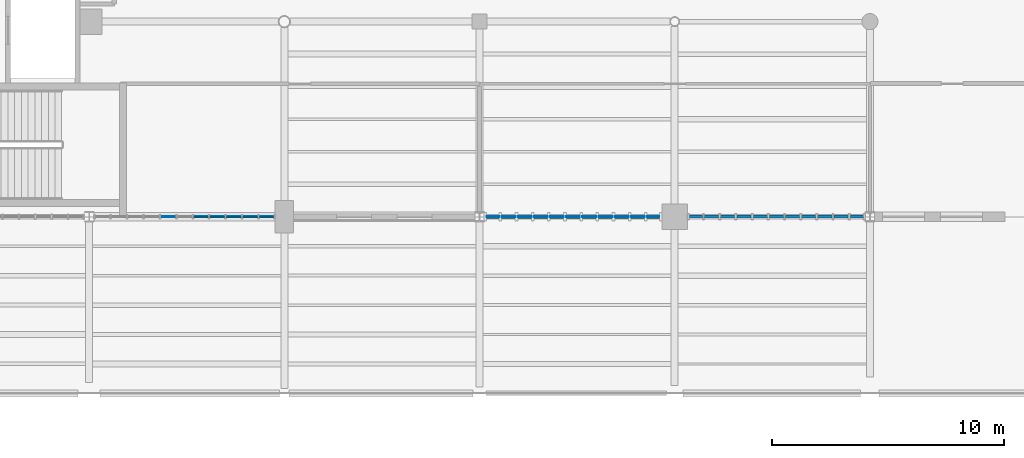
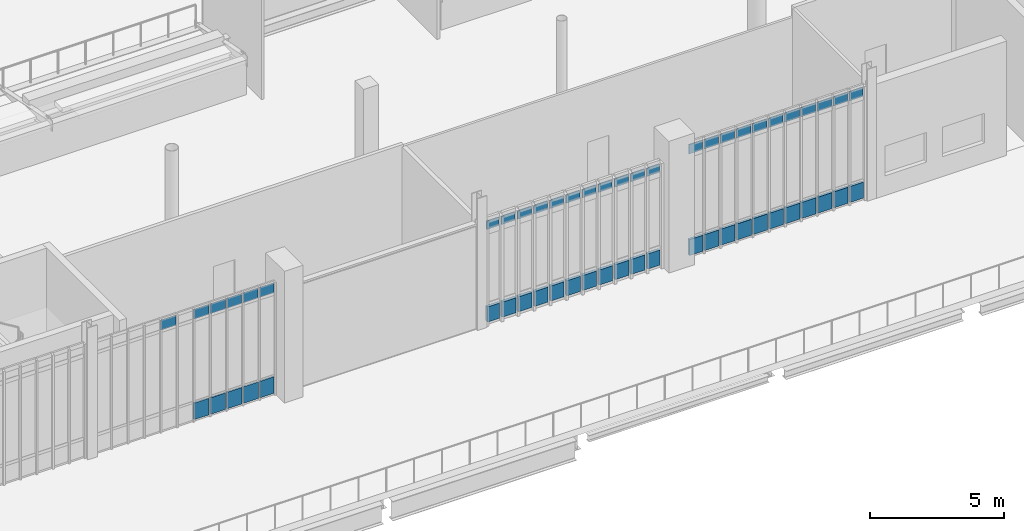
# One storey, part 83 of 135: 55 plates, 3 elements without a shape of their own.
"""IFC4 building model written with IfcOpenShell, lengths in metres."""

from ifc_helpers import new_model, si_unit, direction, frame, origin, origin_2d, place, context, subcontext, project, spatial, rectangle, extrude, material, layer, layer_set, type_object, element, aggregate, save


model = new_model("IFC4")

# Units and contexts
model_context = context("Model", 3, precision=1e-05, world=origin(), true_north=direction((0.0, 1.0)))
body_context = subcontext(model_context, "Body", "Model", "MODEL_VIEW")
ifc_project = project(units=[si_unit("LENGTHUNIT", "METRE"), si_unit("AREAUNIT", "SQUARE_METRE"), si_unit("VOLUMEUNIT", "CUBIC_METRE"), si_unit("PLANEANGLEUNIT", "RADIAN"), si_unit("MASSUNIT", "GRAM", prefix="KILO")], contexts=[model_context])

# Site, building, storey
site_placement = place(None, origin())
site = spatial("IfcSite", under=ifc_project, at=site_placement, CompositionType="ELEMENT")
building_placement = place(site_placement, origin())
building = spatial("IfcBuilding", under=site, at=building_placement, Name="Larkvane Passage Sports Hall", CompositionType="ELEMENT")
storey_placement = place(building_placement, frame((0.0, 0.0, 10.800048828125)))
storey = spatial("IfcBuildingStorey", under=building, at=storey_placement, Name="L02", CompositionType="ELEMENT", Elevation=10.800048828125)

# Curtain wall, plates
ifc_material_1 = material(Name="Thermally broken aluminium and low-E glazing", Category="aluminium")
curtain_wall_type_1 = type_object("IfcCurtainWallType", Name="CW-STICK-FOYER", PredefinedType="USERDEFINED", material=ifc_material_1)
curtain_wall_1_placement = place(storey_placement, origin())
curtain_wall_1 = element("IfcCurtainWall", 1, at=curtain_wall_1_placement, inside=storey, type_object=curtain_wall_type_1, Name="Curtain wall CW5-L02-086", ObjectType="STICK CURTAIN WALL", PredefinedType="USERDEFINED")
ifc_material_2 = material(Name="Fire-stopped shadow-box spandrel panel")
ifc_layer_1 = layer(ifc_material_2, 0.10498046875)
ifc_layer_set_1 = layer_set([ifc_layer_1], Name="Fire-stopped shadow-box spandrel panel")
plate_type_1 = type_object("IfcPlateType", Name="CWP-SPD-105", PredefinedType="CURTAIN_PANEL", material=ifc_layer_set_1)
plate_1_placement = place(storey_placement, frame((76.233642578125, 22.800048828125, 0.080078125), z_axis=(0.0, 0.0, 1.0), x_axis=(-1.0, 0.0, 0.0)))
plate_1 = element("IfcPlate", 2, at=plate_1_placement, type_object=plate_type_1, Name="CW-03 panel 1.1", PredefinedType="CURTAIN_PANEL", context=body_context, shape_type="SweptSolid", body=[
    extrude(rectangle(XDim=0.575927734375, YDim=0.10498046875, at=origin_2d()), origin(), (0.0, 0.0, 1.0), 0.72998046875),
])
plate_2_placement = place(storey_placement, frame((75.5576171875, 22.800048828125, 0.080078125), z_axis=(0.0, 0.0, 1.0), x_axis=(-1.0, 0.0, 0.0)))
plate_2 = element("IfcPlate", 3, at=plate_2_placement, type_object=plate_type_1, Name="CW-03 panel 2.1", PredefinedType="CURTAIN_PANEL", context=body_context, shape_type="SweptSolid", body=[
    extrude(rectangle(XDim=0.615966796875, YDim=0.10498046875, at=origin_2d()), origin(), (0.0, 0.0, 1.0), 0.72998046875),
])
plate_3_placement = place(storey_placement, frame((74.861572265625, 22.800048828125, 0.080078125), z_axis=(0.0, 0.0, 1.0), x_axis=(-1.0, 0.0, 0.0)))
plate_3 = element("IfcPlate", 4, at=plate_3_placement, type_object=plate_type_1, Name="CW-03 panel 3.1", PredefinedType="CURTAIN_PANEL", context=body_context, shape_type="SweptSolid", body=[
    extrude(rectangle(XDim=0.615966796875, YDim=0.10498046875, at=origin_2d()), origin(), (0.0, 0.0, 1.0), 0.72998046875),
])
plate_4_placement = place(storey_placement, frame((74.165771484375, 22.800048828125, 0.080078125), z_axis=(0.0, 0.0, 1.0), x_axis=(-1.0, 0.0, 0.0)))
plate_4 = element("IfcPlate", 5, at=plate_4_placement, type_object=plate_type_1, Name="CW-03 panel 4.1", PredefinedType="CURTAIN_PANEL", context=body_context, shape_type="SweptSolid", body=[
    extrude(rectangle(XDim=0.615966796875, YDim=0.10498046875, at=origin_2d()), origin(), (0.0, 0.0, 1.0), 0.72998046875),
])
plate_5_placement = place(storey_placement, frame((73.4697265625, 22.800048828125, 0.080078125), z_axis=(0.0, 0.0, 1.0), x_axis=(-1.0, 0.0, 0.0)))
plate_5 = element("IfcPlate", 6, at=plate_5_placement, type_object=plate_type_1, Name="CW-03 panel 5.1", PredefinedType="CURTAIN_PANEL", context=body_context, shape_type="SweptSolid", body=[
    extrude(rectangle(XDim=0.615966796875, YDim=0.10498046875, at=origin_2d()), origin(), (0.0, 0.0, 1.0), 0.72998046875),
])
plate_6_placement = place(storey_placement, frame((72.773681640625, 22.800048828125, 0.080078125), z_axis=(0.0, 0.0, 1.0), x_axis=(-1.0, 0.0, 0.0)))
plate_6 = element("IfcPlate", 7, at=plate_6_placement, type_object=plate_type_1, Name="CW-03 panel 6.1", PredefinedType="CURTAIN_PANEL", context=body_context, shape_type="SweptSolid", body=[
    extrude(rectangle(XDim=0.615966796875, YDim=0.10498046875, at=origin_2d()), origin(), (0.0, 0.0, 1.0), 0.72998046875),
])
plate_7_placement = place(storey_placement, frame((72.077880859375, 22.800048828125, 0.080078125), z_axis=(0.0, 0.0, 1.0), x_axis=(-1.0, 0.0, 0.0)))
plate_7 = element("IfcPlate", 8, at=plate_7_placement, type_object=plate_type_1, Name="CW-03 panel 7.1", PredefinedType="CURTAIN_PANEL", context=body_context, shape_type="SweptSolid", body=[
    extrude(rectangle(XDim=0.615966796875, YDim=0.10498046875, at=origin_2d()), origin(), (0.0, 0.0, 1.0), 0.72998046875),
])
plate_8_placement = place(storey_placement, frame((71.3818359375, 22.800048828125, 0.080078125), z_axis=(0.0, 0.0, 1.0), x_axis=(-1.0, 0.0, 0.0)))
plate_8 = element("IfcPlate", 9, at=plate_8_placement, type_object=plate_type_1, Name="CW-03 panel 8.1", PredefinedType="CURTAIN_PANEL", context=body_context, shape_type="SweptSolid", body=[
    extrude(rectangle(XDim=0.615966796875, YDim=0.10498046875, at=origin_2d()), origin(), (0.0, 0.0, 1.0), 0.72998046875),
])
plate_9_placement = place(storey_placement, frame((70.685791015625, 22.800048828125, 0.080078125), z_axis=(0.0, 0.0, 1.0), x_axis=(-1.0, 0.0, 0.0)))
plate_9 = element("IfcPlate", 10, at=plate_9_placement, type_object=plate_type_1, Name="CW-03 panel 9.1", PredefinedType="CURTAIN_PANEL", context=body_context, shape_type="SweptSolid", body=[
    extrude(rectangle(XDim=0.615966796875, YDim=0.10498046875, at=origin_2d()), origin(), (0.0, 0.0, 1.0), 0.72998046875),
])
plate_10_placement = place(storey_placement, frame((69.989990234375, 22.800048828125, 0.080078125), z_axis=(0.0, 0.0, 1.0), x_axis=(-1.0, 0.0, 0.0)))
plate_10 = element("IfcPlate", 11, at=plate_10_placement, type_object=plate_type_1, Name="CW-03 panel 10.1", PredefinedType="CURTAIN_PANEL", context=body_context, shape_type="SweptSolid", body=[
    extrude(rectangle(XDim=0.615966796875, YDim=0.10498046875, at=origin_2d()), origin(), (0.0, 0.0, 1.0), 0.72998046875),
])
plate_11_placement = place(storey_placement, frame((69.31396484375, 22.800048828125, 0.080078125), z_axis=(0.0, 0.0, 1.0), x_axis=(-1.0, 0.0, 0.0)))
plate_11 = element("IfcPlate", 12, at=plate_11_placement, type_object=plate_type_1, Name="CW-03 panel 11.1", PredefinedType="CURTAIN_PANEL", context=body_context, shape_type="SweptSolid", body=[
    extrude(rectangle(XDim=0.575927734375, YDim=0.10498046875, at=origin_2d()), origin(), (0.0, 0.0, 1.0), 0.72998046875),
])

curtain_wall_type_2 = type_object("IfcCurtainWallType", Name="CW-CLINIC", PredefinedType="USERDEFINED", material=ifc_material_1)
curtain_wall_2_placement = place(storey_placement, origin())
curtain_wall_2 = element("IfcCurtainWall", 13, at=curtain_wall_2_placement, inside=storey, type_object=curtain_wall_type_2, Name="Curtain wall CW5-L02-087", ObjectType="UNITISED CURTAIN WALL", PredefinedType="USERDEFINED")
ifc_material_3 = material(Name="Deep insulated facade spandrel panel")
ifc_layer_2 = layer(ifc_material_3, 0.125)
ifc_layer_set_2 = layer_set([ifc_layer_2], Name="Deep insulated facade spandrel panel")
plate_type_2 = type_object("IfcPlateType", Name="CWP-SPD-125", PredefinedType="CURTAIN_PANEL", material=ifc_layer_set_2)
plate_12_placement = place(storey_placement, frame((67.478515625, 22.800048828125, 0.10986328125), z_axis=(0.0, 0.0, 1.0), x_axis=(-1.0, 0.0, 0.0)))
plate_12 = element("IfcPlate", 14, at=plate_12_placement, type_object=plate_type_2, Name="CW-05 panel 1.1", PredefinedType="CURTAIN_PANEL", context=body_context, shape_type="SweptSolid", body=[
    extrude(rectangle(XDim=0.53076171875, YDim=0.125, at=origin_2d()), origin(), (0.0, 0.0, 1.0), 0.68505859375),
])
plate_13_placement = place(storey_placement, frame((66.810302734375, 22.800048828125, 0.10986328125), z_axis=(0.0, 0.0, 1.0), x_axis=(-1.0, 0.0, 0.0)))
plate_13 = element("IfcPlate", 15, at=plate_13_placement, type_object=plate_type_2, Name="CW-05 panel 2.1", PredefinedType="CURTAIN_PANEL", context=body_context, shape_type="SweptSolid", body=[
    extrude(rectangle(XDim=0.5859375, YDim=0.125, at=origin_2d()), origin(), (0.0, 0.0, 1.0), 0.68505859375),
])
plate_14_placement = place(storey_placement, frame((66.1142578125, 22.800048828125, 0.10986328125), z_axis=(0.0, 0.0, 1.0), x_axis=(-1.0, 0.0, 0.0)))
plate_14 = element("IfcPlate", 16, at=plate_14_placement, type_object=plate_type_2, Name="CW-05 panel 3.1", PredefinedType="CURTAIN_PANEL", context=body_context, shape_type="SweptSolid", body=[
    extrude(rectangle(XDim=0.5859375, YDim=0.125, at=origin_2d()), origin(), (0.0, 0.0, 1.0), 0.68505859375),
])
plate_15_placement = place(storey_placement, frame((65.41845703125, 22.800048828125, 0.10986328125), z_axis=(0.0, 0.0, 1.0), x_axis=(-1.0, 0.0, 0.0)))
plate_15 = element("IfcPlate", 17, at=plate_15_placement, type_object=plate_type_2, Name="CW-05 panel 4.1", PredefinedType="CURTAIN_PANEL", context=body_context, shape_type="SweptSolid", body=[
    extrude(rectangle(XDim=0.5859375, YDim=0.125, at=origin_2d()), origin(), (0.0, 0.0, 1.0), 0.68505859375),
])
plate_16_placement = place(storey_placement, frame((64.72265625, 22.800048828125, 0.10986328125), z_axis=(0.0, 0.0, 1.0), x_axis=(-1.0, 0.0, 0.0)))
plate_16 = element("IfcPlate", 18, at=plate_16_placement, type_object=plate_type_2, Name="CW-05 panel 5.1", PredefinedType="CURTAIN_PANEL", context=body_context, shape_type="SweptSolid", body=[
    extrude(rectangle(XDim=0.5859375, YDim=0.125, at=origin_2d()), origin(), (0.0, 0.0, 1.0), 0.68505859375),
])
plate_17_placement = place(storey_placement, frame((64.02685546875, 22.800048828125, 0.10986328125), z_axis=(0.0, 0.0, 1.0), x_axis=(-1.0, 0.0, 0.0)))
plate_17 = element("IfcPlate", 19, at=plate_17_placement, type_object=plate_type_2, Name="CW-05 panel 6.1", PredefinedType="CURTAIN_PANEL", context=body_context, shape_type="SweptSolid", body=[
    extrude(rectangle(XDim=0.5859375, YDim=0.125, at=origin_2d()), origin(), (0.0, 0.0, 1.0), 0.68505859375),
])
plate_18_placement = place(storey_placement, frame((63.330810546875, 22.800048828125, 0.10986328125), z_axis=(0.0, 0.0, 1.0), x_axis=(-1.0, 0.0, 0.0)))
plate_18 = element("IfcPlate", 20, at=plate_18_placement, type_object=plate_type_2, Name="CW-05 panel 7.1", PredefinedType="CURTAIN_PANEL", context=body_context, shape_type="SweptSolid", body=[
    extrude(rectangle(XDim=0.5859375, YDim=0.125, at=origin_2d()), origin(), (0.0, 0.0, 1.0), 0.68505859375),
])
plate_19_placement = place(storey_placement, frame((62.635009765625, 22.800048828125, 0.10986328125), z_axis=(0.0, 0.0, 1.0), x_axis=(-1.0, 0.0, 0.0)))
plate_19 = element("IfcPlate", 21, at=plate_19_placement, type_object=plate_type_2, Name="CW-05 panel 8.1", PredefinedType="CURTAIN_PANEL", context=body_context, shape_type="SweptSolid", body=[
    extrude(rectangle(XDim=0.5859375, YDim=0.125, at=origin_2d()), origin(), (0.0, 0.0, 1.0), 0.68505859375),
])
plate_20_placement = place(storey_placement, frame((61.939208984375, 22.800048828125, 0.10986328125), z_axis=(0.0, 0.0, 1.0), x_axis=(-1.0, 0.0, 0.0)))
plate_20 = element("IfcPlate", 22, at=plate_20_placement, type_object=plate_type_2, Name="CW-05 panel 9.1", PredefinedType="CURTAIN_PANEL", context=body_context, shape_type="SweptSolid", body=[
    extrude(rectangle(XDim=0.5859375, YDim=0.125, at=origin_2d()), origin(), (0.0, 0.0, 1.0), 0.68505859375),
])
plate_21_placement = place(storey_placement, frame((61.243408203125, 22.800048828125, 0.10986328125), z_axis=(0.0, 0.0, 1.0), x_axis=(-1.0, 0.0, 0.0)))
plate_21 = element("IfcPlate", 23, at=plate_21_placement, type_object=plate_type_2, Name="CW-05 panel 10.1", PredefinedType="CURTAIN_PANEL", context=body_context, shape_type="SweptSolid", body=[
    extrude(rectangle(XDim=0.5859375, YDim=0.125, at=origin_2d()), origin(), (0.0, 0.0, 1.0), 0.68505859375),
])
plate_22_placement = place(storey_placement, frame((60.574951171875, 22.800048828125, 0.10986328125), z_axis=(0.0, 0.0, 1.0), x_axis=(-1.0, 0.0, 0.0)))
plate_22 = element("IfcPlate", 24, at=plate_22_placement, type_object=plate_type_2, Name="CW-05 panel 11.1", PredefinedType="CURTAIN_PANEL", context=body_context, shape_type="SweptSolid", body=[
    extrude(rectangle(XDim=0.53076171875, YDim=0.125, at=origin_2d()), origin(), (0.0, 0.0, 1.0), 0.68505859375),
])

curtain_wall_type_3 = type_object("IfcCurtainWallType", Name="CW-UNIT-COURT", PredefinedType="USERDEFINED", material=ifc_material_1)
curtain_wall_3_placement = place(storey_placement, origin())
curtain_wall_3 = element("IfcCurtainWall", 25, at=curtain_wall_3_placement, inside=storey, type_object=curtain_wall_type_3, Name="Curtain wall CW5-L02-088", ObjectType="UNITISED CURTAIN WALL", PredefinedType="USERDEFINED")
ifc_material_4 = material(Name="Insulated aluminium spandrel panel", Category="aluminium")
ifc_layer_3 = layer(ifc_material_4, 0.06494140625)
ifc_layer_set_3 = layer_set([ifc_layer_3], Name="Insulated aluminium spandrel panel")
plate_type_3 = type_object("IfcPlateType", Name="CWP-SPD-65", PredefinedType="CURTAIN_PANEL", material=ifc_layer_set_3)
plate_23_placement = place(storey_placement, frame((50.833251953125, 22.800048828125, 0.06494140625), z_axis=(0.0, 0.0, 1.0), x_axis=(-1.0, 0.0, 0.0)))
plate_23 = element("IfcPlate", 26, at=plate_23_placement, type_object=plate_type_3, Name="CW-01 panel 1.1", PredefinedType="CURTAIN_PANEL", context=body_context, shape_type="SweptSolid", body=[
    extrude(rectangle(XDim=0.611572265625, YDim=0.06494140625, at=origin_2d()), origin(), (0.0, 0.0, 1.0), 0.75244140625),
])
plate_24_placement = place(storey_placement, frame((50.140380859375, 22.800048828125, 0.06494140625), z_axis=(0.0, 0.0, 1.0), x_axis=(-1.0, 0.0, 0.0)))
plate_24 = element("IfcPlate", 27, at=plate_24_placement, type_object=plate_type_3, Name="CW-01 panel 2.1", PredefinedType="CURTAIN_PANEL", context=body_context, shape_type="SweptSolid", body=[
    extrude(rectangle(XDim=0.64404296875, YDim=0.06494140625, at=origin_2d()), origin(), (0.0, 0.0, 1.0), 0.75244140625),
])
plate_25_placement = place(storey_placement, frame((49.431396484375, 22.800048828125, 0.06494140625), z_axis=(0.0, 0.0, 1.0), x_axis=(-1.0, 0.0, 0.0)))
plate_25 = element("IfcPlate", 28, at=plate_25_placement, type_object=plate_type_3, Name="CW-01 panel 3.1", PredefinedType="CURTAIN_PANEL", context=body_context, shape_type="SweptSolid", body=[
    extrude(rectangle(XDim=0.64404296875, YDim=0.06494140625, at=origin_2d()), origin(), (0.0, 0.0, 1.0), 0.75244140625),
])
plate_26_placement = place(storey_placement, frame((48.722412109375, 22.800048828125, 0.06494140625), z_axis=(0.0, 0.0, 1.0), x_axis=(-1.0, 0.0, 0.0)))
plate_26 = element("IfcPlate", 29, at=plate_26_placement, type_object=plate_type_3, Name="CW-01 panel 4.1", PredefinedType="CURTAIN_PANEL", context=body_context, shape_type="SweptSolid", body=[
    extrude(rectangle(XDim=0.64404296875, YDim=0.06494140625, at=origin_2d()), origin(), (0.0, 0.0, 1.0), 0.75244140625),
])
plate_27_placement = place(storey_placement, frame((48.01318359375, 22.800048828125, 0.06494140625), z_axis=(0.0, 0.0, 1.0), x_axis=(-1.0, 0.0, 0.0)))
plate_27 = element("IfcPlate", 30, at=plate_27_placement, type_object=plate_type_3, Name="CW-01 panel 5.1", PredefinedType="CURTAIN_PANEL", context=body_context, shape_type="SweptSolid", body=[
    extrude(rectangle(XDim=0.64404296875, YDim=0.06494140625, at=origin_2d()), origin(), (0.0, 0.0, 1.0), 0.75244140625),
])
ifc_material_5 = material(Name="Solar-control low-E double glazing", Category="glass")
ifc_layer_4 = layer(ifc_material_5, 0.028076171875)
ifc_layer_set_4 = layer_set([ifc_layer_4], Name="Solar-control low-E double glazing")
plate_type_4 = type_object("IfcPlateType", Name="CWP-VIS-28", PredefinedType="CURTAIN_PANEL", material=ifc_layer_set_4)
plate_28_placement = place(storey_placement, frame((50.833251953125, 22.800048828125, 4.63037109375), z_axis=(0.0, 0.0, 1.0), x_axis=(-1.0, 0.0, 0.0)))
plate_28 = element("IfcPlate", 31, at=plate_28_placement, type_object=plate_type_4, Name="CW-01 panel 1.3", PredefinedType="CURTAIN_PANEL", context=body_context, shape_type="SweptSolid", body=[
    extrude(rectangle(XDim=0.611572265625, YDim=0.028076171875, at=origin_2d()), origin(), (0.0, 0.0, 1.0), 0.452392578125),
])
plate_29_placement = place(storey_placement, frame((50.140380859375, 22.800048828125, 4.63037109375), z_axis=(0.0, 0.0, 1.0), x_axis=(-1.0, 0.0, 0.0)))
plate_29 = element("IfcPlate", 32, at=plate_29_placement, type_object=plate_type_4, Name="CW-01 panel 2.3", PredefinedType="CURTAIN_PANEL", context=body_context, shape_type="SweptSolid", body=[
    extrude(rectangle(XDim=0.64404296875, YDim=0.028076171875, at=origin_2d()), origin(), (0.0, 0.0, 1.0), 0.452392578125),
])
plate_30_placement = place(storey_placement, frame((49.431396484375, 22.800048828125, 4.63037109375), z_axis=(0.0, 0.0, 1.0), x_axis=(-1.0, 0.0, 0.0)))
plate_30 = element("IfcPlate", 33, at=plate_30_placement, type_object=plate_type_4, Name="CW-01 panel 3.3", PredefinedType="CURTAIN_PANEL", context=body_context, shape_type="SweptSolid", body=[
    extrude(rectangle(XDim=0.64404296875, YDim=0.028076171875, at=origin_2d()), origin(), (0.0, 0.0, 1.0), 0.452392578125),
])
plate_31_placement = place(storey_placement, frame((48.722412109375, 22.800048828125, 4.63037109375), z_axis=(0.0, 0.0, 1.0), x_axis=(-1.0, 0.0, 0.0)))
plate_31 = element("IfcPlate", 34, at=plate_31_placement, type_object=plate_type_4, Name="CW-01 panel 4.3", PredefinedType="CURTAIN_PANEL", context=body_context, shape_type="SweptSolid", body=[
    extrude(rectangle(XDim=0.64404296875, YDim=0.028076171875, at=origin_2d()), origin(), (0.0, 0.0, 1.0), 0.452392578125),
])
plate_32_placement = place(storey_placement, frame((48.01318359375, 22.800048828125, 4.63037109375), z_axis=(0.0, 0.0, 1.0), x_axis=(-1.0, 0.0, 0.0)))
plate_32 = element("IfcPlate", 35, at=plate_32_placement, type_object=plate_type_4, Name="CW-01 panel 5.3", PredefinedType="CURTAIN_PANEL", context=body_context, shape_type="SweptSolid", body=[
    extrude(rectangle(XDim=0.64404296875, YDim=0.028076171875, at=origin_2d()), origin(), (0.0, 0.0, 1.0), 0.452392578125),
])
plate_33_placement = place(storey_placement, frame((46.59521484375, 22.800048828125, 4.63037109375), z_axis=(0.0, 0.0, 1.0), x_axis=(-1.0, 0.0, 0.0)))
plate_33 = element("IfcPlate", 36, at=plate_33_placement, type_object=plate_type_4, Name="CW-01 panel 7.3", PredefinedType="CURTAIN_PANEL", context=body_context, shape_type="SweptSolid", body=[
    extrude(rectangle(XDim=0.64404296875, YDim=0.028076171875, at=origin_2d()), origin(), (0.0, 0.0, 1.0), 0.452392578125),
])
aggregate(curtain_wall_3, [plate_23, plate_28, plate_24, plate_29, plate_25, plate_30, plate_26, plate_31, plate_27, plate_32, plate_33])

# Plate
ifc_material_6 = material(Name="High-impact court low-E glazing", Category="glass")
ifc_layer_5 = layer(ifc_material_6, 0.035888671875)
ifc_layer_set_5 = layer_set([ifc_layer_5], Name="High-impact court low-E glazing")
plate_type_5 = type_object("IfcPlateType", Name="CWP-VIS-36", PredefinedType="CURTAIN_PANEL", material=ifc_layer_set_5)
plate_34_placement = place(storey_placement, frame((76.233642578125, 22.800048828125, 4.68798828125), z_axis=(0.0, 0.0, 1.0), x_axis=(-1.0, 0.0, 0.0)))
plate_34 = element("IfcPlate", 37, at=plate_34_placement, type_object=plate_type_5, Name="CW-03 panel 1.3", PredefinedType="CURTAIN_PANEL", context=body_context, shape_type="SweptSolid", body=[
    extrude(rectangle(XDim=0.575927734375, YDim=0.035888671875, at=origin_2d()), origin(), (0.0, 0.0, 1.0), 0.429931640625),
])

plate_35_placement = place(storey_placement, frame((75.5576171875, 22.800048828125, 4.68798828125), z_axis=(0.0, 0.0, 1.0), x_axis=(-1.0, 0.0, 0.0)))
plate_35 = element("IfcPlate", 38, at=plate_35_placement, type_object=plate_type_5, Name="CW-03 panel 2.3", PredefinedType="CURTAIN_PANEL", context=body_context, shape_type="SweptSolid", body=[
    extrude(rectangle(XDim=0.615966796875, YDim=0.035888671875, at=origin_2d()), origin(), (0.0, 0.0, 1.0), 0.429931640625),
])

plate_36_placement = place(storey_placement, frame((74.861572265625, 22.800048828125, 4.68798828125), z_axis=(0.0, 0.0, 1.0), x_axis=(-1.0, 0.0, 0.0)))
plate_36 = element("IfcPlate", 39, at=plate_36_placement, type_object=plate_type_5, Name="CW-03 panel 3.3", PredefinedType="CURTAIN_PANEL", context=body_context, shape_type="SweptSolid", body=[
    extrude(rectangle(XDim=0.615966796875, YDim=0.035888671875, at=origin_2d()), origin(), (0.0, 0.0, 1.0), 0.429931640625),
])

plate_37_placement = place(storey_placement, frame((74.165771484375, 22.800048828125, 4.68798828125), z_axis=(0.0, 0.0, 1.0), x_axis=(-1.0, 0.0, 0.0)))
plate_37 = element("IfcPlate", 40, at=plate_37_placement, type_object=plate_type_5, Name="CW-03 panel 4.3", PredefinedType="CURTAIN_PANEL", context=body_context, shape_type="SweptSolid", body=[
    extrude(rectangle(XDim=0.615966796875, YDim=0.035888671875, at=origin_2d()), origin(), (0.0, 0.0, 1.0), 0.429931640625),
])

plate_38_placement = place(storey_placement, frame((73.4697265625, 22.800048828125, 4.68798828125), z_axis=(0.0, 0.0, 1.0), x_axis=(-1.0, 0.0, 0.0)))
plate_38 = element("IfcPlate", 41, at=plate_38_placement, type_object=plate_type_5, Name="CW-03 panel 5.3", PredefinedType="CURTAIN_PANEL", context=body_context, shape_type="SweptSolid", body=[
    extrude(rectangle(XDim=0.615966796875, YDim=0.035888671875, at=origin_2d()), origin(), (0.0, 0.0, 1.0), 0.429931640625),
])

plate_39_placement = place(storey_placement, frame((72.773681640625, 22.800048828125, 4.68798828125), z_axis=(0.0, 0.0, 1.0), x_axis=(-1.0, 0.0, 0.0)))
plate_39 = element("IfcPlate", 42, at=plate_39_placement, type_object=plate_type_5, Name="CW-03 panel 6.3", PredefinedType="CURTAIN_PANEL", context=body_context, shape_type="SweptSolid", body=[
    extrude(rectangle(XDim=0.615966796875, YDim=0.035888671875, at=origin_2d()), origin(), (0.0, 0.0, 1.0), 0.429931640625),
])

plate_40_placement = place(storey_placement, frame((72.077880859375, 22.800048828125, 4.68798828125), z_axis=(0.0, 0.0, 1.0), x_axis=(-1.0, 0.0, 0.0)))
plate_40 = element("IfcPlate", 43, at=plate_40_placement, type_object=plate_type_5, Name="CW-03 panel 7.3", PredefinedType="CURTAIN_PANEL", context=body_context, shape_type="SweptSolid", body=[
    extrude(rectangle(XDim=0.615966796875, YDim=0.035888671875, at=origin_2d()), origin(), (0.0, 0.0, 1.0), 0.429931640625),
])

plate_41_placement = place(storey_placement, frame((71.3818359375, 22.800048828125, 4.68798828125), z_axis=(0.0, 0.0, 1.0), x_axis=(-1.0, 0.0, 0.0)))
plate_41 = element("IfcPlate", 44, at=plate_41_placement, type_object=plate_type_5, Name="CW-03 panel 8.3", PredefinedType="CURTAIN_PANEL", context=body_context, shape_type="SweptSolid", body=[
    extrude(rectangle(XDim=0.615966796875, YDim=0.035888671875, at=origin_2d()), origin(), (0.0, 0.0, 1.0), 0.429931640625),
])

plate_42_placement = place(storey_placement, frame((70.685791015625, 22.800048828125, 4.68798828125), z_axis=(0.0, 0.0, 1.0), x_axis=(-1.0, 0.0, 0.0)))
plate_42 = element("IfcPlate", 45, at=plate_42_placement, type_object=plate_type_5, Name="CW-03 panel 9.3", PredefinedType="CURTAIN_PANEL", context=body_context, shape_type="SweptSolid", body=[
    extrude(rectangle(XDim=0.615966796875, YDim=0.035888671875, at=origin_2d()), origin(), (0.0, 0.0, 1.0), 0.429931640625),
])

plate_43_placement = place(storey_placement, frame((69.989990234375, 22.800048828125, 4.68798828125), z_axis=(0.0, 0.0, 1.0), x_axis=(-1.0, 0.0, 0.0)))
plate_43 = element("IfcPlate", 46, at=plate_43_placement, type_object=plate_type_5, Name="CW-03 panel 10.3", PredefinedType="CURTAIN_PANEL", context=body_context, shape_type="SweptSolid", body=[
    extrude(rectangle(XDim=0.615966796875, YDim=0.035888671875, at=origin_2d()), origin(), (0.0, 0.0, 1.0), 0.429931640625),
])

plate_44_placement = place(storey_placement, frame((69.31396484375, 22.800048828125, 4.68798828125), z_axis=(0.0, 0.0, 1.0), x_axis=(-1.0, 0.0, 0.0)))
plate_44 = element("IfcPlate", 47, at=plate_44_placement, type_object=plate_type_5, Name="CW-03 panel 11.3", PredefinedType="CURTAIN_PANEL", context=body_context, shape_type="SweptSolid", body=[
    extrude(rectangle(XDim=0.575927734375, YDim=0.035888671875, at=origin_2d()), origin(), (0.0, 0.0, 1.0), 0.429931640625),
])

aggregate(curtain_wall_1, [plate_1, plate_34, plate_2, plate_35, plate_3, plate_36, plate_4, plate_37, plate_5, plate_38, plate_6, plate_39, plate_7, plate_40, plate_8, plate_41, plate_9, plate_42, plate_10, plate_43, plate_11, plate_44])

ifc_material_7 = material(Name="Triple-laminated typhoon glazing", Category="glass")
ifc_layer_6 = layer(ifc_material_7, 0.0419921875)
ifc_layer_set_6 = layer_set([ifc_layer_6], Name="Triple-laminated typhoon glazing")
plate_type_6 = type_object("IfcPlateType", Name="CWP-VIS-42", PredefinedType="CURTAIN_PANEL", material=ifc_layer_set_6)
plate_45_placement = place(storey_placement, frame((67.478515625, 22.800048828125, 4.302734375), z_axis=(0.0, 0.0, 1.0), x_axis=(-1.0, 0.0, 0.0)))
plate_45 = element("IfcPlate", 48, at=plate_45_placement, type_object=plate_type_6, Name="CW-05 panel 1.3", PredefinedType="CURTAIN_PANEL", context=body_context, shape_type="SweptSolid", body=[
    extrude(rectangle(XDim=0.53076171875, YDim=0.0419921875, at=origin_2d()), origin(), (0.0, 0.0, 1.0), 0.385009765625),
])

plate_46_placement = place(storey_placement, frame((66.810302734375, 22.800048828125, 4.302734375), z_axis=(0.0, 0.0, 1.0), x_axis=(-1.0, 0.0, 0.0)))
plate_46 = element("IfcPlate", 49, at=plate_46_placement, type_object=plate_type_6, Name="CW-05 panel 2.3", PredefinedType="CURTAIN_PANEL", context=body_context, shape_type="SweptSolid", body=[
    extrude(rectangle(XDim=0.5859375, YDim=0.0419921875, at=origin_2d()), origin(), (0.0, 0.0, 1.0), 0.385009765625),
])

plate_47_placement = place(storey_placement, frame((66.1142578125, 22.800048828125, 4.302734375), z_axis=(0.0, 0.0, 1.0), x_axis=(-1.0, 0.0, 0.0)))
plate_47 = element("IfcPlate", 50, at=plate_47_placement, type_object=plate_type_6, Name="CW-05 panel 3.3", PredefinedType="CURTAIN_PANEL", context=body_context, shape_type="SweptSolid", body=[
    extrude(rectangle(XDim=0.5859375, YDim=0.0419921875, at=origin_2d()), origin(), (0.0, 0.0, 1.0), 0.385009765625),
])

plate_48_placement = place(storey_placement, frame((65.41845703125, 22.800048828125, 4.302734375), z_axis=(0.0, 0.0, 1.0), x_axis=(-1.0, 0.0, 0.0)))
plate_48 = element("IfcPlate", 51, at=plate_48_placement, type_object=plate_type_6, Name="CW-05 panel 4.3", PredefinedType="CURTAIN_PANEL", context=body_context, shape_type="SweptSolid", body=[
    extrude(rectangle(XDim=0.5859375, YDim=0.0419921875, at=origin_2d()), origin(), (0.0, 0.0, 1.0), 0.385009765625),
])

plate_49_placement = place(storey_placement, frame((64.72265625, 22.800048828125, 4.302734375), z_axis=(0.0, 0.0, 1.0), x_axis=(-1.0, 0.0, 0.0)))
plate_49 = element("IfcPlate", 52, at=plate_49_placement, type_object=plate_type_6, Name="CW-05 panel 5.3", PredefinedType="CURTAIN_PANEL", context=body_context, shape_type="SweptSolid", body=[
    extrude(rectangle(XDim=0.5859375, YDim=0.0419921875, at=origin_2d()), origin(), (0.0, 0.0, 1.0), 0.385009765625),
])

plate_50_placement = place(storey_placement, frame((64.02685546875, 22.800048828125, 4.302734375), z_axis=(0.0, 0.0, 1.0), x_axis=(-1.0, 0.0, 0.0)))
plate_50 = element("IfcPlate", 53, at=plate_50_placement, type_object=plate_type_6, Name="CW-05 panel 6.3", PredefinedType="CURTAIN_PANEL", context=body_context, shape_type="SweptSolid", body=[
    extrude(rectangle(XDim=0.5859375, YDim=0.0419921875, at=origin_2d()), origin(), (0.0, 0.0, 1.0), 0.385009765625),
])

plate_51_placement = place(storey_placement, frame((63.330810546875, 22.800048828125, 4.302734375), z_axis=(0.0, 0.0, 1.0), x_axis=(-1.0, 0.0, 0.0)))
plate_51 = element("IfcPlate", 54, at=plate_51_placement, type_object=plate_type_6, Name="CW-05 panel 7.3", PredefinedType="CURTAIN_PANEL", context=body_context, shape_type="SweptSolid", body=[
    extrude(rectangle(XDim=0.5859375, YDim=0.0419921875, at=origin_2d()), origin(), (0.0, 0.0, 1.0), 0.385009765625),
])

plate_52_placement = place(storey_placement, frame((62.635009765625, 22.800048828125, 4.302734375), z_axis=(0.0, 0.0, 1.0), x_axis=(-1.0, 0.0, 0.0)))
plate_52 = element("IfcPlate", 55, at=plate_52_placement, type_object=plate_type_6, Name="CW-05 panel 8.3", PredefinedType="CURTAIN_PANEL", context=body_context, shape_type="SweptSolid", body=[
    extrude(rectangle(XDim=0.5859375, YDim=0.0419921875, at=origin_2d()), origin(), (0.0, 0.0, 1.0), 0.385009765625),
])

plate_53_placement = place(storey_placement, frame((61.939208984375, 22.800048828125, 4.302734375), z_axis=(0.0, 0.0, 1.0), x_axis=(-1.0, 0.0, 0.0)))
plate_53 = element("IfcPlate", 56, at=plate_53_placement, type_object=plate_type_6, Name="CW-05 panel 9.3", PredefinedType="CURTAIN_PANEL", context=body_context, shape_type="SweptSolid", body=[
    extrude(rectangle(XDim=0.5859375, YDim=0.0419921875, at=origin_2d()), origin(), (0.0, 0.0, 1.0), 0.385009765625),
])

plate_54_placement = place(storey_placement, frame((61.243408203125, 22.800048828125, 4.302734375), z_axis=(0.0, 0.0, 1.0), x_axis=(-1.0, 0.0, 0.0)))
plate_54 = element("IfcPlate", 57, at=plate_54_placement, type_object=plate_type_6, Name="CW-05 panel 10.3", PredefinedType="CURTAIN_PANEL", context=body_context, shape_type="SweptSolid", body=[
    extrude(rectangle(XDim=0.5859375, YDim=0.0419921875, at=origin_2d()), origin(), (0.0, 0.0, 1.0), 0.385009765625),
])

plate_55_placement = place(storey_placement, frame((60.574951171875, 22.800048828125, 4.302734375), z_axis=(0.0, 0.0, 1.0), x_axis=(-1.0, 0.0, 0.0)))
plate_55 = element("IfcPlate", 58, at=plate_55_placement, type_object=plate_type_6, Name="CW-05 panel 11.3", PredefinedType="CURTAIN_PANEL", context=body_context, shape_type="SweptSolid", body=[
    extrude(rectangle(XDim=0.53076171875, YDim=0.0419921875, at=origin_2d()), origin(), (0.0, 0.0, 1.0), 0.385009765625),
])

aggregate(curtain_wall_2, [plate_12, plate_45, plate_13, plate_46, plate_14, plate_47, plate_15, plate_48, plate_16, plate_49, plate_17, plate_50, plate_18, plate_51, plate_19, plate_52, plate_20, plate_53, plate_21, plate_54, plate_22, plate_55])

save(model, "model.ifc")
